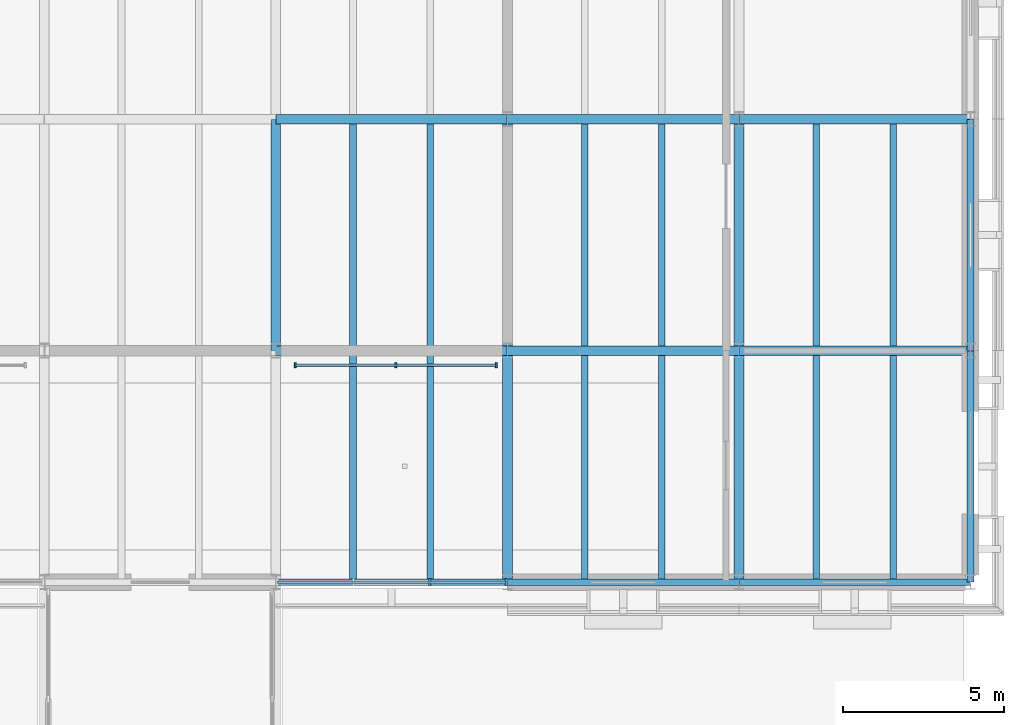
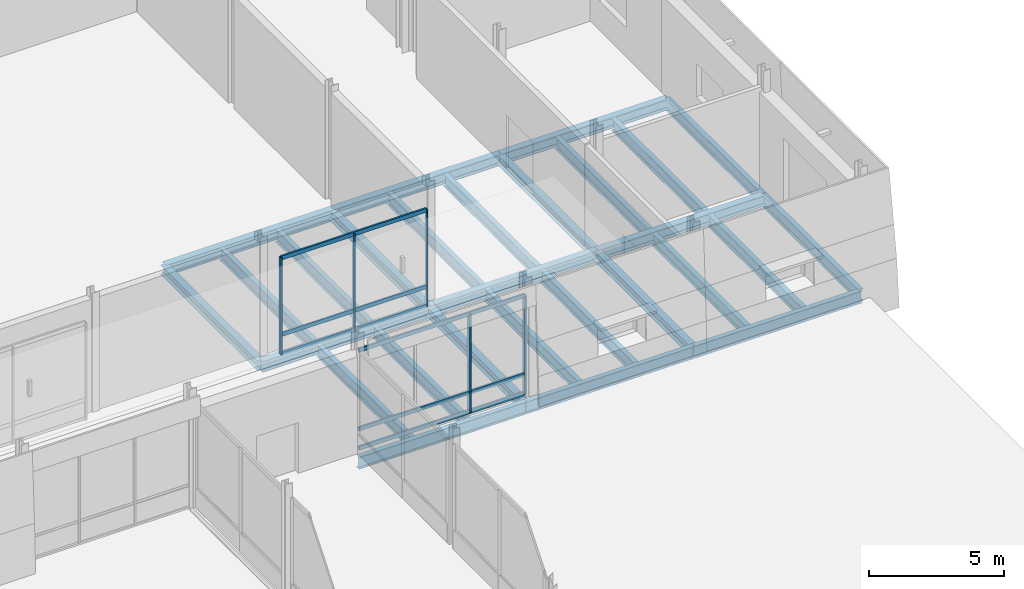
# One storey, part 43 of 120: 28 beams, 11 members, 2 elements without a shape of their own.
"""IFC4 building model written with IfcOpenShell, lengths in metres."""

from ifc_helpers import new_model, si_unit, direction, frame, origin, origin_2d, place, context, subcontext, project, spatial, rectangle, i_section, extrude, material, layer, layer_set, material_profile, profile_set, type_object, element, aggregate, save


model = new_model("IFC4")

# Units and contexts
model_context = context("Model", 3, precision=1e-05, world=origin(), true_north=direction((0.0, 1.0)))
body_context = subcontext(model_context, "Body", "Model", "MODEL_VIEW")
ifc_project = project(units=[si_unit("LENGTHUNIT", "METRE"), si_unit("AREAUNIT", "SQUARE_METRE"), si_unit("VOLUMEUNIT", "CUBIC_METRE"), si_unit("PLANEANGLEUNIT", "RADIAN"), si_unit("MASSUNIT", "GRAM", prefix="KILO")], contexts=[model_context])

# Site, building, storey
site_placement = place(None, origin())
site = spatial("IfcSite", under=ifc_project, at=site_placement, CompositionType="ELEMENT")
building_placement = place(site_placement, origin())
building = spatial("IfcBuilding", under=site, at=building_placement, Name="Narikvali Park Central Library", CompositionType="ELEMENT")
storey_placement = place(building_placement, origin())
storey = spatial("IfcBuildingStorey", under=building, at=storey_placement, Name="L00", CompositionType="ELEMENT", Elevation=0.0)

# Beams
ifc_material_1 = material(Name="Steel S355", Category="steel")
ifc_material_profile_1 = material_profile(ifc_material_1, i_section(OverallWidth=0.2099609375, OverallDepth=0.550048828125, WebThickness=0.010986328125, FlangeThickness=0.01708984375, FilletRadius=0.02392578125, at=origin_2d()), Name="IPE 550")
ifc_profile_set_1 = profile_set([ifc_material_profile_1], Name="Steel S355")
beam_type_1 = type_object("IfcBeamType", Name="Assembly Floor Joist IPE550", PredefinedType="JOIST", material=ifc_profile_set_1)
for number, where, z_axis, x_axis, name in (
    (1, (146.39990234375, 79.304931640625, -0.594970703125), (0.0, 1.0, 0.0), (-1.0, 0.0, 0.0), "V3 L00 Composite Joist 1"),
    (2, (148.800048828125, 79.304931640625, -0.594970703125), (0.0, 1.0, 0.0), (-1.0, 0.0, 0.0), "V3 L00 Composite Joist 2"),
):
    element("IfcBeam", number, at=place(storey_placement, frame(where, z_axis=z_axis, x_axis=x_axis)), inside=storey, type_object=beam_type_1, Name=name, PredefinedType="JOIST", context=body_context, shape_type="SweptSolid", body=[
        extrude(i_section(OverallWidth=0.2099609375, OverallDepth=0.550048828125, WebThickness=0.010986328125, FlangeThickness=0.01708984375, FilletRadius=0.02392578125, at=origin_2d()), origin(), (0.0, 0.0, 1.0), 6.945068359375),
    ])
for number, where, z_axis, x_axis, name in (
    (3, (146.39990234375, 86.550048828125, -0.594970703125), (0.0, 1.0, 0.0), (-1.0, 0.0, 0.0), "V3 L00 Composite Joist 1"),
    (4, (148.800048828125, 86.550048828125, -0.594970703125), (0.0, 1.0, 0.0), (-1.0, 0.0, 0.0), "V3 L00 Composite Joist 2"),
):
    element("IfcBeam", number, at=place(storey_placement, frame(where, z_axis=z_axis, x_axis=x_axis)), inside=storey, type_object=beam_type_1, Name=name, PredefinedType="JOIST", context=body_context, shape_type="SweptSolid", body=[
        extrude(i_section(OverallWidth=0.2099609375, OverallDepth=0.550048828125, WebThickness=0.010986328125, FlangeThickness=0.01708984375, FilletRadius=0.02392578125, at=origin_2d()), origin(), (0.0, 0.0, 1.0), 6.89990234375),
    ])
for number, where, z_axis, x_axis, name in (
    (5, (153.60009765625, 79.304931640625, -0.594970703125), (0.0, 1.0, 0.0), (-1.0, 0.0, 0.0), "V3 L00 Composite Joist 1"),
    (6, (156.0, 79.304931640625, -0.594970703125), (0.0, 1.0, 0.0), (-1.0, 0.0, 0.0), "V3 L00 Composite Joist 2"),
):
    element("IfcBeam", number, at=place(storey_placement, frame(where, z_axis=z_axis, x_axis=x_axis)), inside=storey, type_object=beam_type_1, Name=name, PredefinedType="JOIST", context=body_context, shape_type="SweptSolid", body=[
        extrude(i_section(OverallWidth=0.2099609375, OverallDepth=0.550048828125, WebThickness=0.010986328125, FlangeThickness=0.01708984375, FilletRadius=0.02392578125, at=origin_2d()), origin(), (0.0, 0.0, 1.0), 6.945068359375),
    ])
for number, where, z_axis, x_axis, name in (
    (7, (153.60009765625, 86.550048828125, -0.594970703125), (0.0, 1.0, 0.0), (-1.0, 0.0, 0.0), "V3 L00 Composite Joist 1"),
    (8, (156.0, 86.550048828125, -0.594970703125), (0.0, 1.0, 0.0), (-1.0, 0.0, 0.0), "V3 L00 Composite Joist 2"),
):
    element("IfcBeam", number, at=place(storey_placement, frame(where, z_axis=z_axis, x_axis=x_axis)), inside=storey, type_object=beam_type_1, Name=name, PredefinedType="JOIST", context=body_context, shape_type="SweptSolid", body=[
        extrude(i_section(OverallWidth=0.2099609375, OverallDepth=0.550048828125, WebThickness=0.010986328125, FlangeThickness=0.01708984375, FilletRadius=0.02392578125, at=origin_2d()), origin(), (0.0, 0.0, 1.0), 6.89990234375),
    ])
for number, where, z_axis, x_axis, name in (
    (9, (160.800048828125, 79.304931640625, -0.594970703125), (0.0, 1.0, 0.0), (-1.0, 0.0, 0.0), "V3 L00 Composite Joist 1"),
    (10, (163.199951171875, 79.304931640625, -0.594970703125), (0.0, 1.0, 0.0), (-1.0, 0.0, 0.0), "V3 L00 Composite Joist 2"),
):
    element("IfcBeam", number, at=place(storey_placement, frame(where, z_axis=z_axis, x_axis=x_axis)), inside=storey, type_object=beam_type_1, Name=name, PredefinedType="JOIST", context=body_context, shape_type="SweptSolid", body=[
        extrude(i_section(OverallWidth=0.2099609375, OverallDepth=0.550048828125, WebThickness=0.010986328125, FlangeThickness=0.01708984375, FilletRadius=0.02392578125, at=origin_2d()), origin(), (0.0, 0.0, 1.0), 6.945068359375),
    ])
for number, where, z_axis, x_axis, name in (
    (11, (160.800048828125, 86.550048828125, -0.594970703125), (0.0, 1.0, 0.0), (-1.0, 0.0, 0.0), "V3 L00 Composite Joist 1"),
    (12, (163.199951171875, 86.550048828125, -0.594970703125), (0.0, 1.0, 0.0), (-1.0, 0.0, 0.0), "V3 L00 Composite Joist 2"),
):
    element("IfcBeam", number, at=place(storey_placement, frame(where, z_axis=z_axis, x_axis=x_axis)), inside=storey, type_object=beam_type_1, Name=name, PredefinedType="JOIST", context=body_context, shape_type="SweptSolid", body=[
        extrude(i_section(OverallWidth=0.2099609375, OverallDepth=0.550048828125, WebThickness=0.010986328125, FlangeThickness=0.01708984375, FilletRadius=0.02392578125, at=origin_2d()), origin(), (0.0, 0.0, 1.0), 6.89990234375),
    ])

# Curtain wall, members
ifc_material_2 = material(Name="Anodised Bronze Aluminium", Category="aluminium")
ifc_layer = layer(ifc_material_2, 0.219970703125, Name="Anodised Bronze Aluminium")
ifc_layer_set = layer_set([ifc_layer], Name="Anodised Bronze Aluminium")
curtain_wall_type = type_object("IfcCurtainWallType", Name="Atrium Tall Curtain Wall System", PredefinedType="NOTDEFINED", material=ifc_layer_set)
curtain_wall_1_placement = place(storey_placement, origin())
curtain_wall_1 = element("IfcCurtainWall", 13, at=curtain_wall_1_placement, inside=storey, type_object=curtain_wall_type, Name="Atrium Tall Curtain Wall System CW-V3-L00-S-04", PredefinedType="NOTDEFINED")
ifc_material_profile_2 = material_profile(ifc_material_2, rectangle(XDim=0.074951171875, YDim=0.219970703125, at=origin_2d()), Name="CW MULLION 75x220")
ifc_profile_set_2 = profile_set([ifc_material_profile_2], Name="Anodised Bronze Aluminium")
member_type_1 = type_object("IfcMemberType", Name="Curtain Wall Heavy Mullion 75x220", PredefinedType="MULLION", material=ifc_profile_set_2)
member_1_placement = place(storey_placement, frame((148.787353515625, 79.199951171875, -0.010009765625), z_axis=(0.0, 0.0, 1.0), x_axis=(1.0, 0.0, 0.0)))
member_1 = element("IfcMember", 14, at=member_1_placement, type_object=member_type_1, Name="CW-V3-L00-S-04 Mullion 02", PredefinedType="MULLION", context=body_context, shape_type="SweptSolid", body=[
    extrude(rectangle(XDim=0.074951171875, YDim=0.219970703125, at=origin_2d()), origin(), (0.0, 0.0, 1.0), 4.510009765625),
])
member_2_placement = place(storey_placement, frame((151.162109375, 79.199951171875, -0.010009765625), z_axis=(0.0, 0.0, 1.0), x_axis=(1.0, 0.0, 0.0)))
member_2 = element("IfcMember", 15, at=member_2_placement, type_object=member_type_1, Name="CW-V3-L00-S-04 Mullion 03", PredefinedType="MULLION", context=body_context, shape_type="SweptSolid", body=[
    extrude(rectangle(XDim=0.074951171875, YDim=0.219970703125, at=origin_2d()), origin(), (0.0, 0.0, 1.0), 4.510009765625),
])
ifc_material_profile_3 = material_profile(ifc_material_2, rectangle(XDim=0.074951171875, YDim=0.179931640625, at=origin_2d()), Name="CW TRANSOM 75x180")
ifc_profile_set_3 = profile_set([ifc_material_profile_3], Name="Anodised Bronze Aluminium")
member_type_2 = type_object("IfcMemberType", Name="Curtain Wall Heavy Transom 75x180", PredefinedType="USERDEFINED", material=ifc_profile_set_3)
member_3_placement = place(storey_placement, frame((144.0380859375, 79.199951171875, 0.030029296875), z_axis=(1.0, 0.0, 0.0), x_axis=(0.0, 1.0, 0.0)))
member_3 = element("IfcMember", 16, at=member_3_placement, type_object=member_type_2, Name="CW-V3-L00-S-04 Transom 00", ObjectType="TRANSOM", PredefinedType="USERDEFINED", context=body_context, shape_type="SweptSolid", body=[
    extrude(rectangle(XDim=0.074951171875, YDim=0.179931640625, at=origin_2d()), origin(), (0.0, 0.0, 1.0), 7.1240234375),
])
member_4_placement = place(storey_placement, frame((144.0380859375, 79.199951171875, 0.89990234375), z_axis=(1.0, 0.0, 0.0), x_axis=(0.0, 1.0, 0.0)))
member_4 = element("IfcMember", 17, at=member_4_placement, type_object=member_type_2, Name="CW-V3-L00-S-04 Transom 01", ObjectType="TRANSOM", PredefinedType="USERDEFINED", context=body_context, shape_type="SweptSolid", body=[
    extrude(rectangle(XDim=0.074951171875, YDim=0.179931640625, at=origin_2d()), origin(), (0.0, 0.0, 1.0), 7.1240234375),
])
member_5_placement = place(storey_placement, frame((144.0380859375, 79.199951171875, 4.469970703125), z_axis=(1.0, 0.0, 0.0), x_axis=(0.0, 1.0, 0.0)))
member_5 = element("IfcMember", 18, at=member_5_placement, type_object=member_type_2, Name="CW-V3-L00-S-04 Transom 02", ObjectType="TRANSOM", PredefinedType="USERDEFINED", context=body_context, shape_type="SweptSolid", body=[
    extrude(rectangle(XDim=0.074951171875, YDim=0.179931640625, at=origin_2d()), origin(), (0.0, 0.0, 1.0), 7.1240234375),
])
aggregate(curtain_wall_1, [member_1, member_2, member_3, member_4, member_5])

curtain_wall_2_placement = place(storey_placement, origin())
curtain_wall_2 = element("IfcCurtainWall", 19, at=curtain_wall_2_placement, inside=storey, type_object=curtain_wall_type, Name="Atrium Tall Curtain Wall System CW-GAL-V3-L00-FOY-N2", PredefinedType="NOTDEFINED")
member_6_placement = place(storey_placement, frame((144.60009765625, 85.949951171875, 0.030029296875), z_axis=(1.0, 0.0, 0.0), x_axis=(0.0, 1.0, 0.0)))
member_6 = element("IfcMember", 20, at=member_6_placement, type_object=member_type_2, Name="CW-GAL-V3-L00-FOY-N2 Transom 00", ObjectType="TRANSOM", PredefinedType="USERDEFINED", context=body_context, shape_type="SweptSolid", body=[
    extrude(rectangle(XDim=0.074951171875, YDim=0.179931640625, at=origin_2d()), origin(), (0.0, 0.0, 1.0), 6.25),
])
member_7_placement = place(storey_placement, frame((144.60009765625, 85.949951171875, 0.89990234375), z_axis=(1.0, 0.0, 0.0), x_axis=(0.0, 1.0, 0.0)))
member_7 = element("IfcMember", 21, at=member_7_placement, type_object=member_type_2, Name="CW-GAL-V3-L00-FOY-N2 Transom 01", ObjectType="TRANSOM", PredefinedType="USERDEFINED", context=body_context, shape_type="SweptSolid", body=[
    extrude(rectangle(XDim=0.074951171875, YDim=0.179931640625, at=origin_2d()), origin(), (0.0, 0.0, 1.0), 6.25),
])
member_8_placement = place(storey_placement, frame((144.60009765625, 85.949951171875, 4.3701171875), z_axis=(1.0, 0.0, 0.0), x_axis=(0.0, 1.0, 0.0)))
member_8 = element("IfcMember", 22, at=member_8_placement, type_object=member_type_2, Name="CW-GAL-V3-L00-FOY-N2 Transom 02", ObjectType="TRANSOM", PredefinedType="USERDEFINED", context=body_context, shape_type="SweptSolid", body=[
    extrude(rectangle(XDim=0.074951171875, YDim=0.179931640625, at=origin_2d()), origin(), (0.0, 0.0, 1.0), 6.25),
])
ifc_material_profile_4 = material_profile(ifc_material_2, rectangle(XDim=0.06005859375, YDim=0.14990234375, at=origin_2d()), Name="CW MULLION 60x150")
ifc_profile_set_4 = profile_set([ifc_material_profile_4], Name="Anodised Bronze Aluminium")
member_type_3 = type_object("IfcMemberType", Name="Curtain Wall Mullion 60x150", PredefinedType="MULLION", material=ifc_profile_set_4)
member_9_placement = place(storey_placement, frame((144.60009765625, 85.949951171875, -0.010009765625), z_axis=(0.0, 0.0, 1.0), x_axis=(1.0, 0.0, 0.0)))
member_9 = element("IfcMember", 23, at=member_9_placement, type_object=member_type_3, Name="CW-GAL-V3-L00-FOY-N2 Mullion 00", PredefinedType="MULLION", context=body_context, shape_type="SweptSolid", body=[
    extrude(rectangle(XDim=0.06005859375, YDim=0.14990234375, at=origin_2d()), origin(), (0.0, 0.0, 1.0), 4.409912109375),
])
member_10_placement = place(storey_placement, frame((147.72509765625, 85.949951171875, -0.010009765625), z_axis=(0.0, 0.0, 1.0), x_axis=(1.0, 0.0, 0.0)))
member_10 = element("IfcMember", 24, at=member_10_placement, type_object=member_type_3, Name="CW-GAL-V3-L00-FOY-N2 Mullion 01", PredefinedType="MULLION", context=body_context, shape_type="SweptSolid", body=[
    extrude(rectangle(XDim=0.06005859375, YDim=0.14990234375, at=origin_2d()), origin(), (0.0, 0.0, 1.0), 4.409912109375),
])
member_11_placement = place(storey_placement, frame((150.85009765625, 85.949951171875, -0.010009765625), z_axis=(0.0, 0.0, 1.0), x_axis=(1.0, 0.0, 0.0)))
member_11 = element("IfcMember", 25, at=member_11_placement, type_object=member_type_3, Name="CW-GAL-V3-L00-FOY-N2 Mullion 02", PredefinedType="MULLION", context=body_context, shape_type="SweptSolid", body=[
    extrude(rectangle(XDim=0.06005859375, YDim=0.14990234375, at=origin_2d()), origin(), (0.0, 0.0, 1.0), 4.409912109375),
])
aggregate(curtain_wall_2, [member_9, member_10, member_11, member_6, member_7, member_8])

# Beams
ifc_material_profile_5 = material_profile(ifc_material_1, i_section(OverallWidth=0.2099609375, OverallDepth=0.550048828125, WebThickness=0.010986328125, FlangeThickness=0.01708984375, FilletRadius=0.02392578125, at=origin_2d()), Name="IPE 550")
ifc_profile_set_5 = profile_set([ifc_material_profile_5], Name="Steel S355")
beam_type_2 = type_object("IfcBeamType", Name="Perimeter Spandrel IPE550", PredefinedType="SPANDREL", material=ifc_profile_set_5)
beam_1_placement = place(storey_placement, frame((144.008056640625, 79.199951171875, -0.594970703125), z_axis=(1.0, 0.0, 0.0), x_axis=(0.0, 1.0, 0.0)))
element("IfcBeam", 26, at=beam_1_placement, inside=storey, type_object=beam_type_2, Name="V3 L00 Girder X", PredefinedType="SPANDREL", context=body_context, shape_type="SweptSolid", body=[
    extrude(i_section(OverallWidth=0.2099609375, OverallDepth=0.550048828125, WebThickness=0.010986328125, FlangeThickness=0.01708984375, FilletRadius=0.02392578125, at=origin_2d()), origin(), (0.0, 0.0, 1.0), 7.183837890625),
])
for number, where, z_axis, x_axis, name in (
    (27, (151.2080078125, 79.199951171875, -0.594970703125), (1.0, 0.0, 0.0), (0.0, 1.0, 0.0), "V3 L00 Girder X"),
    (28, (158.407958984375, 79.199951171875, -0.594970703125), (1.0, 0.0, 0.0), (0.0, 1.0, 0.0), "V3 L00 Girder X"),
    (29, (165.60009765625, 79.2080078125, -0.594970703125), (0.0, 1.0, 0.0), (-1.0, 0.0, 0.0), "V3 L00 Girder Y"),
    (30, (165.60009765625, 86.407958984375, -0.594970703125), (0.0, 1.0, 0.0), (-1.0, 0.0, 0.0), "V3 L00 Girder Y"),
):
    element("IfcBeam", number, at=place(storey_placement, frame(where, z_axis=z_axis, x_axis=x_axis)), inside=storey, type_object=beam_type_2, Name=name, PredefinedType="SPANDREL", context=body_context, shape_type="SweptSolid", body=[
        extrude(i_section(OverallWidth=0.2099609375, OverallDepth=0.550048828125, WebThickness=0.010986328125, FlangeThickness=0.01708984375, FilletRadius=0.02392578125, at=origin_2d()), origin(), (0.0, 0.0, 1.0), 7.18408203125),
    ])
ifc_material_profile_6 = material_profile(ifc_material_1, i_section(OverallWidth=0.300048828125, OverallDepth=0.43994140625, WebThickness=0.011474609375, FlangeThickness=0.02099609375, FilletRadius=0.027099609375, at=origin_2d()), Name="HEA 450")
ifc_profile_set_6 = profile_set([ifc_material_profile_6], Name="Steel S355")
beam_type_3 = type_object("IfcBeamType", Name="Primary Girder HEA450", PredefinedType="BEAM", material=ifc_profile_set_6)
for number, where, z_axis, x_axis, name in (
    (31, (144.0, 86.407958984375, -0.5400390625), (0.0, 1.0, 0.0), (-1.0, 0.0, 0.0), "V3 L00 Girder Y"),
    (32, (151.199951171875, 79.2080078125, -0.5400390625), (0.0, 1.0, 0.0), (-1.0, 0.0, 0.0), "V3 L00 Girder Y"),
    (33, (151.199951171875, 86.407958984375, -0.5400390625), (0.0, 1.0, 0.0), (-1.0, 0.0, 0.0), "V3 L00 Girder Y"),
    (34, (158.39990234375, 79.2080078125, -0.5400390625), (0.0, 1.0, 0.0), (-1.0, 0.0, 0.0), "V3 L00 Girder Y"),
    (35, (158.39990234375, 86.407958984375, -0.5400390625), (0.0, 1.0, 0.0), (-1.0, 0.0, 0.0), "V3 L00 Girder Y"),
):
    element("IfcBeam", number, at=place(storey_placement, frame(where, z_axis=z_axis, x_axis=x_axis)), inside=storey, type_object=beam_type_3, Name=name, PredefinedType="BEAM", context=body_context, shape_type="SweptSolid", body=[
        extrude(i_section(OverallWidth=0.300048828125, OverallDepth=0.43994140625, WebThickness=0.011474609375, FlangeThickness=0.02099609375, FilletRadius=0.027099609375, at=origin_2d()), origin(), (0.0, 0.0, 1.0), 7.18408203125),
    ])
ifc_material_profile_7 = material_profile(ifc_material_1, i_section(OverallWidth=0.300048828125, OverallDepth=0.489990234375, WebThickness=0.011962890625, FlangeThickness=0.02294921875, FilletRadius=0.027099609375, at=origin_2d()), Name="HEA 500")
ifc_profile_set_7 = profile_set([ifc_material_profile_7], Name="Steel S355")
beam_type_4 = type_object("IfcBeamType", Name="Primary Girder HEA500", PredefinedType="BEAM", material=ifc_profile_set_7)
beam_2_placement = place(storey_placement, frame((144.008056640625, 86.39990234375, -0.56494140625), z_axis=(1.0, 0.0, 0.0), x_axis=(0.0, 1.0, 0.0)))
element("IfcBeam", 36, at=beam_2_placement, inside=storey, type_object=beam_type_4, Name="V3 L00 Girder X", PredefinedType="BEAM", context=body_context, shape_type="SweptSolid", body=[
    extrude(i_section(OverallWidth=0.300048828125, OverallDepth=0.489990234375, WebThickness=0.011962890625, FlangeThickness=0.02294921875, FilletRadius=0.027099609375, at=origin_2d()), origin(), (0.0, 0.0, 1.0), 7.183837890625),
])
for number, where, z_axis, x_axis, name in (
    (37, (151.2080078125, 86.39990234375, -0.56494140625), (1.0, 0.0, 0.0), (0.0, 1.0, 0.0), "V3 L00 Girder X"),
    (38, (158.407958984375, 86.39990234375, -0.56494140625), (1.0, 0.0, 0.0), (0.0, 1.0, 0.0), "V3 L00 Girder X"),
):
    element("IfcBeam", number, at=place(storey_placement, frame(where, z_axis=z_axis, x_axis=x_axis)), inside=storey, type_object=beam_type_4, Name=name, PredefinedType="BEAM", context=body_context, shape_type="SweptSolid", body=[
        extrude(i_section(OverallWidth=0.300048828125, OverallDepth=0.489990234375, WebThickness=0.011962890625, FlangeThickness=0.02294921875, FilletRadius=0.027099609375, at=origin_2d()), origin(), (0.0, 0.0, 1.0), 7.18408203125),
    ])
beam_3_placement = place(storey_placement, frame((144.008056640625, 93.60009765625, -0.56494140625), z_axis=(1.0, 0.0, 0.0), x_axis=(0.0, 1.0, 0.0)))
element("IfcBeam", 39, at=beam_3_placement, inside=storey, type_object=beam_type_4, Name="V3 L00 Girder X", PredefinedType="BEAM", context=body_context, shape_type="SweptSolid", body=[
    extrude(i_section(OverallWidth=0.300048828125, OverallDepth=0.489990234375, WebThickness=0.011962890625, FlangeThickness=0.02294921875, FilletRadius=0.027099609375, at=origin_2d()), origin(), (0.0, 0.0, 1.0), 7.183837890625),
])
for number, where, z_axis, x_axis, name in (
    (40, (151.2080078125, 93.60009765625, -0.56494140625), (1.0, 0.0, 0.0), (0.0, 1.0, 0.0), "V3 L00 Girder X"),
    (41, (158.407958984375, 93.60009765625, -0.56494140625), (1.0, 0.0, 0.0), (0.0, 1.0, 0.0), "V3 L00 Girder X"),
):
    element("IfcBeam", number, at=place(storey_placement, frame(where, z_axis=z_axis, x_axis=x_axis)), inside=storey, type_object=beam_type_4, Name=name, PredefinedType="BEAM", context=body_context, shape_type="SweptSolid", body=[
        extrude(i_section(OverallWidth=0.300048828125, OverallDepth=0.489990234375, WebThickness=0.011962890625, FlangeThickness=0.02294921875, FilletRadius=0.027099609375, at=origin_2d()), origin(), (0.0, 0.0, 1.0), 7.18408203125),
    ])

save(model, "model.ifc")
